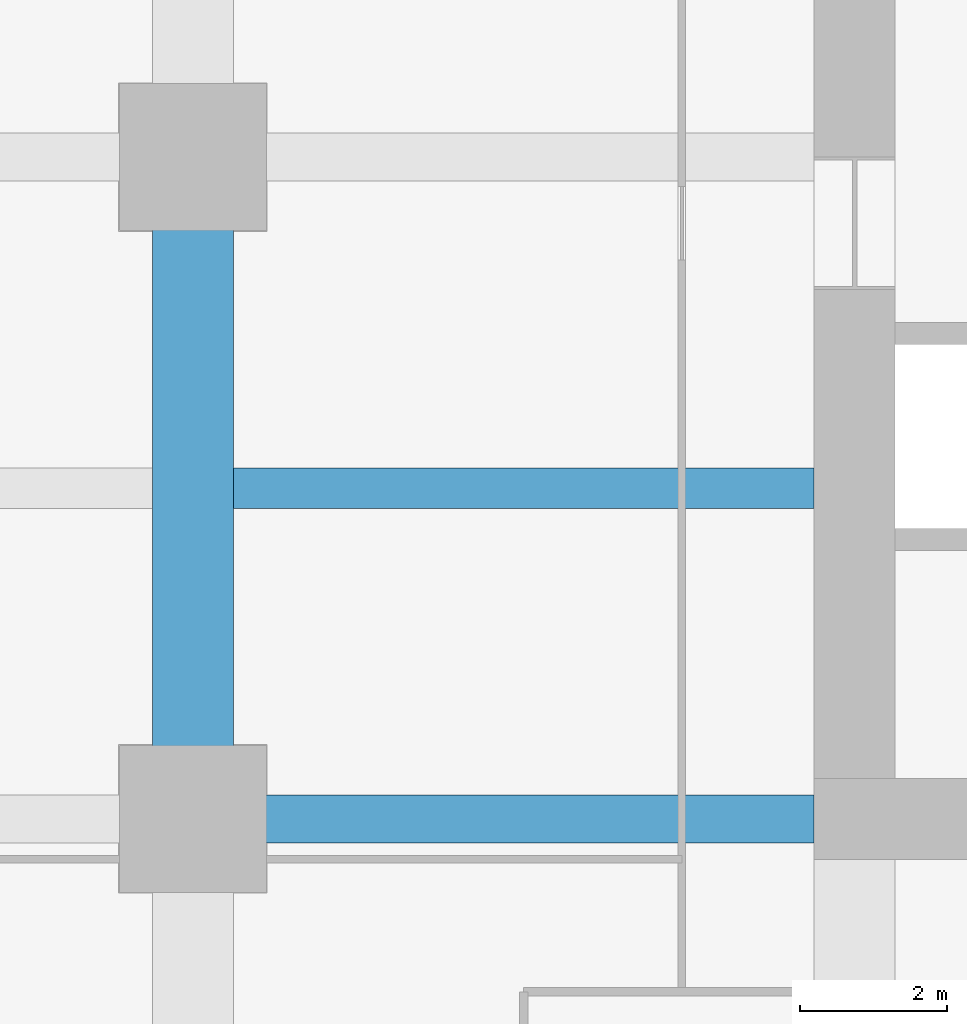
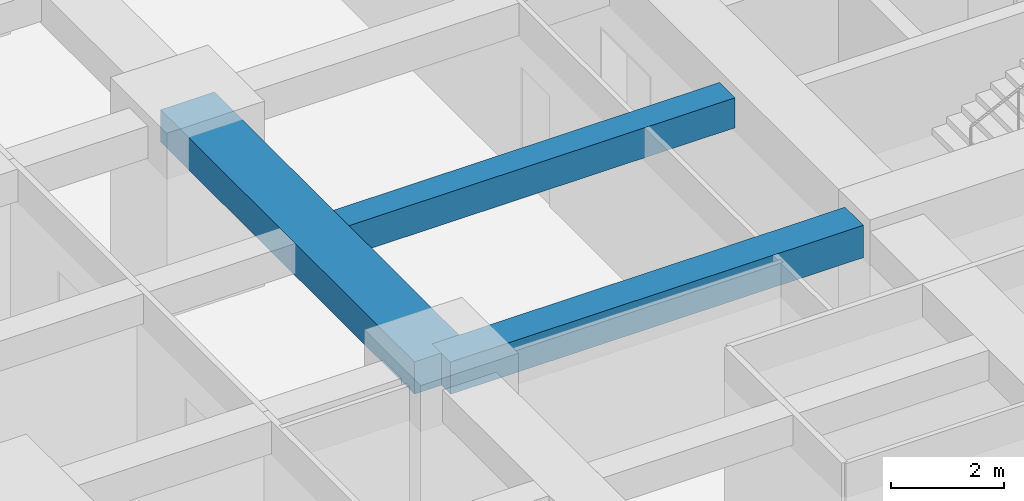
# One storey, part 10 of 41: 3 beams.
"""IFC4 building model written with IfcOpenShell, lengths in metres."""

from ifc_helpers import new_model, si_unit, direction, frame, origin, origin_2d, place, context, subcontext, project, spatial, rectangle, extrude, material, material_profile, profile_set, type_object, element, save


model = new_model("IFC4")

# Units and contexts
model_context = context("Model", 3, precision=1e-05, world=origin(), true_north=direction((0.0, 1.0)))
body_context = subcontext(model_context, "Body", "Model", "MODEL_VIEW")
ifc_project = project(units=[si_unit("LENGTHUNIT", "METRE"), si_unit("AREAUNIT", "SQUARE_METRE"), si_unit("VOLUMEUNIT", "CUBIC_METRE"), si_unit("PLANEANGLEUNIT", "RADIAN"), si_unit("MASSUNIT", "GRAM", prefix="KILO")], contexts=[model_context])

# Site, building, storey
site_placement = place(None, origin())
site = spatial("IfcSite", under=ifc_project, at=site_placement, CompositionType="ELEMENT")
building_placement = place(site_placement, origin())
building = spatial("IfcBuilding", under=site, at=building_placement, Name="Zorevar Civic Tower", CompositionType="ELEMENT")
storey_placement = place(building_placement, frame((0.0, 0.0, 109.0)))
storey = spatial("IfcBuildingStorey", under=building, at=storey_placement, Name="L26", CompositionType="ELEMENT", Elevation=109.0)

# Beams
ifc_material_1 = material(Name="Concrete C50/60", Category="concrete")
ifc_material_profile_1 = material_profile(ifc_material_1, rectangle(XDim=1.10009765625, YDim=0.699951171875, at=origin_2d()), Name="RC 1100x700")
ifc_profile_set_1 = profile_set([ifc_material_profile_1], Name="Concrete C50/60")
beam_type_1 = type_object("IfcBeamType", Name="Beam RC 1100x700", PredefinedType="BEAM", material=ifc_profile_set_1)
beam_1_placement = place(storey_placement, frame((9.0, 18.0, 3.39990234375), z_axis=(0.0, 1.0, 0.0), x_axis=(-1.0, 0.0, 0.0)))
element("IfcBeam", 1, at=beam_1_placement, inside=storey, type_object=beam_type_1, Name="Girder L27", PredefinedType="BEAM", context=body_context, shape_type="SweptSolid", body=[
    extrude(rectangle(XDim=1.10009765625, YDim=0.699951171875, at=origin_2d()), origin(), (0.0, 0.0, 1.0), 9.0),
])
ifc_material_2 = material(Name="Concrete C50/60", Category="concrete")
ifc_material_profile_2 = material_profile(ifc_material_2, rectangle(XDim=0.550048828125, YDim=0.64990234375, at=origin_2d()), Name="RC 550x650")
ifc_profile_set_2 = profile_set([ifc_material_profile_2], Name="Concrete C50/60")
beam_type_2 = type_object("IfcBeamType", Name="Beam RC 550x650", PredefinedType="BEAM", material=ifc_profile_set_2)
beam_2_placement = place(storey_placement, frame((9.550048828125, 22.5, 3.425048828125), z_axis=(1.0, 0.0, 0.0), x_axis=(0.0, 1.0, 0.0)))
element("IfcBeam", 2, at=beam_2_placement, inside=storey, type_object=beam_type_2, Name="Secondary beam L27", PredefinedType="BEAM", context=body_context, shape_type="SweptSolid", body=[
    extrude(rectangle(XDim=0.550048828125, YDim=0.64990234375, at=origin_2d()), origin(), (0.0, 0.0, 1.0), 7.89990234375),
])
ifc_material_3 = material(Name="Concrete C50/60", Category="concrete")
ifc_material_profile_3 = material_profile(ifc_material_3, rectangle(XDim=0.64990234375, YDim=0.699951171875, at=origin_2d()), Name="RC 650x700")
ifc_profile_set_3 = profile_set([ifc_material_profile_3], Name="Concrete C50/60")
beam_type_3 = type_object("IfcBeamType", Name="Beam RC 650x700", PredefinedType="BEAM", material=ifc_profile_set_3)
beam_3_placement = place(storey_placement, frame((9.0, 18.0, 3.39990234375), z_axis=(1.0, 0.0, 0.0), x_axis=(0.0, 1.0, 0.0)))
element("IfcBeam", 3, at=beam_3_placement, inside=storey, type_object=beam_type_3, Name="Girder L27", PredefinedType="BEAM", context=body_context, shape_type="SweptSolid", body=[
    extrude(rectangle(XDim=0.64990234375, YDim=0.699951171875, at=origin_2d()), origin(), (0.0, 0.0, 1.0), 8.449951171875),
])

save(model, "model.ifc")
